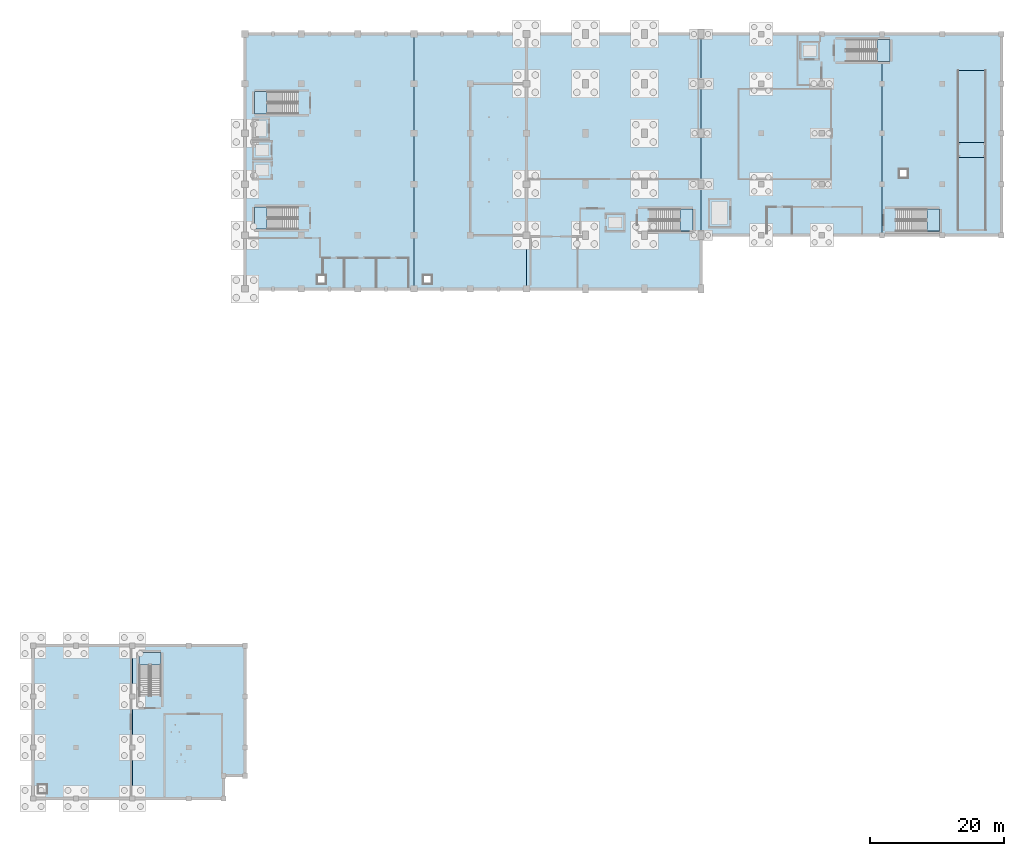
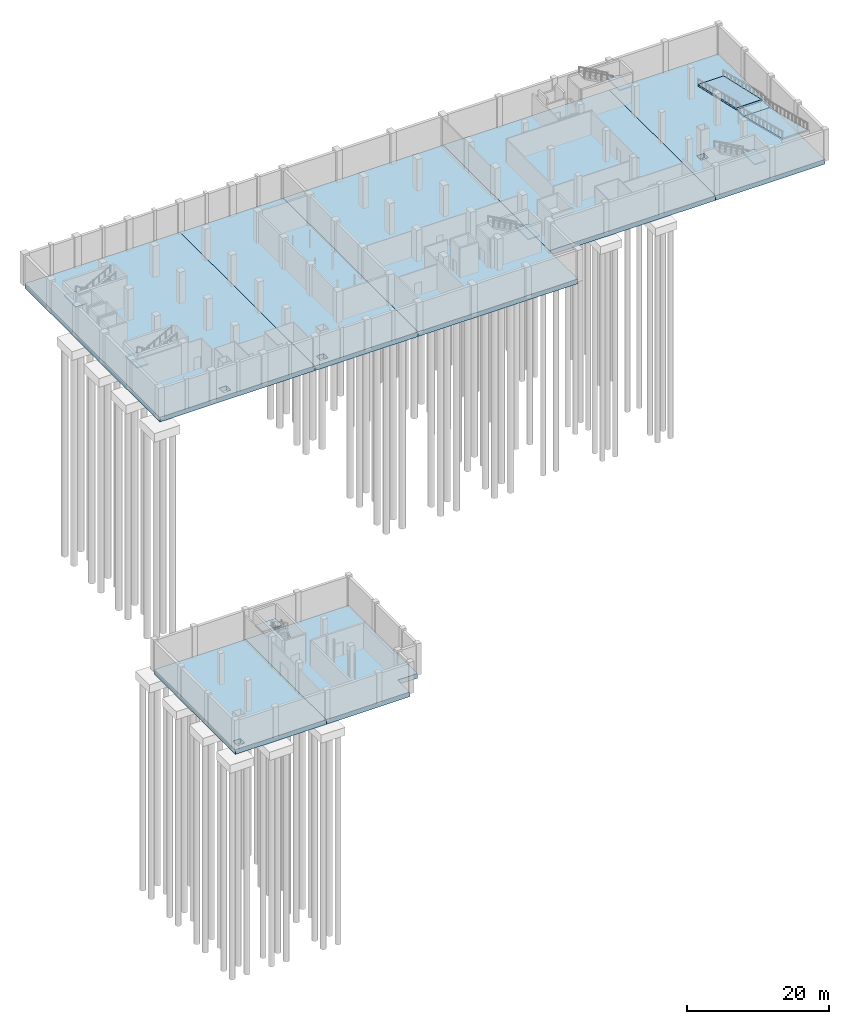
# One storey, part 9 of 20: 16 slabs, 6 elements without a shape of their own.
"""IFC4 building model written with IfcOpenShell, lengths in metres."""

from ifc_helpers import new_model, si_unit, direction, frame, origin, place, context, subcontext, project, spatial, polyline, outline, extrude, material, layer, layer_set, type_object, element, aggregate, save


model = new_model("IFC4")

# Units and contexts
model_context = context("Model", 3, precision=1e-05, world=origin(), true_north=direction((0.0, 1.0)))
body_context = subcontext(model_context, "Body", "Model", "MODEL_VIEW")
ifc_project = project(units=[si_unit("LENGTHUNIT", "METRE"), si_unit("AREAUNIT", "SQUARE_METRE"), si_unit("VOLUMEUNIT", "CUBIC_METRE"), si_unit("PLANEANGLEUNIT", "RADIAN"), si_unit("MASSUNIT", "GRAM", prefix="KILO")], contexts=[model_context])

# Site, building, storey
site_placement = place(None, origin())
site = spatial("IfcSite", under=ifc_project, at=site_placement, CompositionType="ELEMENT")
building_placement = place(site_placement, origin())
building = spatial("IfcBuilding", under=site, at=building_placement, Name="Shengluoqiao Park Theatre", CompositionType="ELEMENT")
storey_placement = place(building_placement, frame((0.0, 0.0, -5.39990234375)))
storey = spatial("IfcBuildingStorey", under=building, at=storey_placement, Name="B1", CompositionType="ELEMENT", Elevation=-5.39990234375)

# Slab
ifc_material = material(Name="Concrete C40", Category="concrete")
ifc_layer_1 = layer(ifc_material, 0.219970703125, Name="Concrete C40")
ifc_layer_set_1 = layer_set([ifc_layer_1], Name="Concrete C40")
slab_type_1 = type_object("IfcSlabType", Name="ENV-SLB-RMLND", PredefinedType="LANDING", material=ifc_layer_set_1)
slab_1_placement = place(storey_placement, frame((0.0, 0.0, 2.419921875)))
element("IfcSlab", 1, at=slab_1_placement, inside=storey, type_object=slab_type_1, Name="Car park vehicle ramp R1 mid-landing", PredefinedType="LANDING", context=body_context, shape_type="SweptSolid", body=[
    extrude(outline(polyline([(150.699951171875, 95.60009765625), (154.89990234375, 95.60009765625), (154.89990234375, 97.800048828125), (150.699951171875, 97.800048828125), (150.699951171875, 95.60009765625)])), origin(), (0.0, 0.0, 1.0), 0.280029296875),
])

# Stair, slab
stair_type = type_object("IfcStairType", Name="INT-STR-CORE", PredefinedType="HALF_TURN_STAIR", material=ifc_material)
stair_1_placement = place(storey_placement, origin())
stair_1 = element("IfcStair", 2, at=stair_1_placement, inside=storey, type_object=stair_type, Name="B1 Auditorium South-West Escape Stair 02", PredefinedType="HALF_TURN_STAIR")
ifc_layer_2 = layer(ifc_material, 0.169921875, Name="Concrete C40")
ifc_layer_set_2 = layer_set([ifc_layer_2], Name="Concrete C40")
slab_type_2 = type_object("IfcSlabType", Name="INT-LND-SL-170", PredefinedType="LANDING", material=ifc_layer_set_2)
slab_2_placement = place(storey_placement, frame((0.0, 0.0, 2.5)))
slab_2 = element("IfcSlab", 3, at=slab_2_placement, type_object=slab_type_2, Name="ST-02 landing 1", PredefinedType="LANDING", context=body_context, shape_type="SweptSolid", body=[
    extrude(outline(polyline([(47.7099609375, 88.199951171875), (45.800048828125, 88.199951171875), (45.800048828125, 84.89990234375), (47.7099609375, 84.89990234375), (47.7099609375, 88.199951171875)])), origin(), (0.0, 0.0, 1.0), 0.199951171875),
])
aggregate(stair_1, [slab_2])

stair_2_placement = place(storey_placement, origin())
stair_2 = element("IfcStair", 4, at=stair_2_placement, inside=storey, type_object=stair_type, Name="B1 Studio and Black-Box Escape Stair 04", PredefinedType="HALF_TURN_STAIR")
slab_3_placement = place(storey_placement, frame((0.0, 0.0, 2.5)))
slab_3 = element("IfcSlab", 5, at=slab_3_placement, type_object=slab_type_2, Name="ST-04 landing 1", PredefinedType="LANDING", context=body_context, shape_type="SweptSolid", body=[
    extrude(outline(polyline([(31.89990234375, 19.889892578125), (31.89990234375, 21.800048828125), (28.60009765625, 21.800048828125), (28.60009765625, 19.889892578125), (31.89990234375, 19.889892578125)])), origin(), (0.0, 0.0, 1.0), 0.199951171875),
])
aggregate(stair_2, [slab_3])

stair_3_placement = place(storey_placement, origin())
stair_3 = element("IfcStair", 6, at=stair_3_placement, inside=storey, type_object=stair_type, Name="B1 Backstage and Workshop Escape Stair 06", PredefinedType="HALF_TURN_STAIR")
slab_4_placement = place(storey_placement, frame((0.0, 0.0, 2.5)))
slab_4 = element("IfcSlab", 7, at=slab_4_placement, type_object=slab_type_2, Name="ST-06 landing 1", PredefinedType="LANDING", context=body_context, shape_type="SweptSolid", body=[
    extrude(outline(polyline([(138.68994140625, 109.89990234375), (140.60009765625, 109.89990234375), (140.60009765625, 113.199951171875), (138.68994140625, 113.199951171875), (138.68994140625, 109.89990234375)])), origin(), (0.0, 0.0, 1.0), 0.199951171875),
])
aggregate(stair_3, [slab_4])

stair_4_placement = place(storey_placement, origin())
stair_4 = element("IfcStair", 8, at=stair_4_placement, inside=storey, type_object=stair_type, Name="B1 Auditorium North-West Escape Stair 03", PredefinedType="HALF_TURN_STAIR")
ifc_layer_3 = layer(ifc_material, 0.199951171875, Name="Concrete C40")
ifc_layer_set_3 = layer_set([ifc_layer_3], Name="Concrete C40")
slab_type_3 = type_object("IfcSlabType", Name="INT-LND-SL-200", PredefinedType="LANDING", material=ifc_layer_set_3)
slab_5_placement = place(storey_placement, frame((0.0, 0.0, 2.5)))
slab_5 = element("IfcSlab", 9, at=slab_5_placement, type_object=slab_type_3, Name="ST-03 landing 1", PredefinedType="LANDING", context=body_context, shape_type="SweptSolid", body=[
    extrude(outline(polyline([(47.7099609375, 105.39990234375), (45.800048828125, 105.39990234375), (45.800048828125, 102.10009765625), (47.7099609375, 102.10009765625), (47.7099609375, 105.39990234375)])), origin(), (0.0, 0.0, 1.0), 0.199951171875),
])
aggregate(stair_4, [slab_5])

stair_5_placement = place(storey_placement, origin())
stair_5 = element("IfcStair", 10, at=stair_5_placement, inside=storey, type_object=stair_type, Name="B1 Stage and Fly Tower Escape Stair 05", PredefinedType="HALF_TURN_STAIR")
slab_6_placement = place(storey_placement, frame((0.0, 0.0, 2.5)))
slab_6 = element("IfcSlab", 11, at=slab_6_placement, type_object=slab_type_3, Name="ST-05 landing 1", PredefinedType="LANDING", context=body_context, shape_type="SweptSolid", body=[
    extrude(outline(polyline([(109.2900390625, 84.60009765625), (111.199951171875, 84.60009765625), (111.199951171875, 87.89990234375), (109.2900390625, 87.89990234375), (109.2900390625, 84.60009765625)])), origin(), (0.0, 0.0, 1.0), 0.199951171875),
])
aggregate(stair_5, [slab_6])

stair_6_placement = place(storey_placement, origin())
stair_6 = element("IfcStair", 12, at=stair_6_placement, inside=storey, type_object=stair_type, Name="B1 Upper Backstage Escape Stair 10", PredefinedType="HALF_TURN_STAIR")
slab_7_placement = place(storey_placement, frame((0.0, 0.0, 2.5)))
slab_7 = element("IfcSlab", 13, at=slab_7_placement, type_object=slab_type_3, Name="ST-10 landing 1", PredefinedType="LANDING", context=body_context, shape_type="SweptSolid", body=[
    extrude(outline(polyline([(146.090087890625, 84.60009765625), (148.0, 84.60009765625), (148.0, 87.89990234375), (146.090087890625, 87.89990234375), (146.090087890625, 84.60009765625)])), origin(), (0.0, 0.0, 1.0), 0.199951171875),
])
aggregate(stair_6, [slab_7])

# Slabs
ifc_layer_4 = layer(ifc_material, 0.800048828125, Name="Concrete C40")
ifc_layer_set_4 = layer_set([ifc_layer_4], Name="Concrete C40")
slab_type_4 = type_object("IfcSlabType", Name="STR-SLB-RAFT800", PredefinedType="BASESLAB", material=ifc_layer_set_4)
slab_8_placement = place(storey_placement, frame((0.0, 0.0, -0.800048828125)))
element("IfcSlab", 14, at=slab_8_placement, inside=storey, type_object=slab_type_4, Name="Basement Raft Slab", PredefinedType="BASESLAB", context=body_context, shape_type="SweptSolid", body=[
    extrude(outline(polyline([(12.800048828125, 0.0), (12.800048828125, 22.800048828125), (27.60009765625, 22.800048828125), (27.60009765625, 0.0), (12.800048828125, 0.0)]), holes=[polyline([(13.60009765625, 0.800048828125), (14.820068359375, 0.800048828125), (14.820068359375, 2.02001953125), (13.60009765625, 2.02001953125), (13.60009765625, 0.800048828125)])]), origin(), (0.0, 0.0, 1.0), 0.800048828125),
])
slab_9_placement = place(storey_placement, frame((0.0, 0.0, -0.800048828125)))
element("IfcSlab", 15, at=slab_9_placement, inside=storey, type_object=slab_type_4, Name="Basement Raft Slab", PredefinedType="BASESLAB", context=body_context, shape_type="SweptSolid", body=[
    extrude(outline(polyline([(27.60009765625, 22.800048828125), (44.39990234375, 22.800048828125), (44.39990234375, 3.39990234375), (41.199951171875, 3.39990234375), (41.199951171875, 0.0), (27.60009765625, 0.0), (27.60009765625, 22.800048828125)])), origin(), (0.0, 0.0, 1.0), 0.800048828125),
])
slab_10_placement = place(storey_placement, frame((0.0, 0.0, -0.800048828125)))
element("IfcSlab", 16, at=slab_10_placement, inside=storey, type_object=slab_type_4, Name="Basement Raft Slab", PredefinedType="BASESLAB", context=body_context, shape_type="SweptSolid", body=[
    extrude(outline(polyline([(44.39990234375, 76.0), (44.39990234375, 114.0), (69.60009765625, 114.0), (69.60009765625, 76.0), (44.39990234375, 76.0)]), holes=[polyline([(55.199951171875, 76.800048828125), (56.419921875, 76.800048828125), (56.419921875, 78.02001953125), (55.199951171875, 78.02001953125), (55.199951171875, 76.800048828125)])]), origin(), (0.0, 0.0, 1.0), 0.800048828125),
])
slab_11_placement = place(storey_placement, frame((0.0, 0.0, -0.800048828125)))
element("IfcSlab", 17, at=slab_11_placement, inside=storey, type_object=slab_type_4, Name="Basement Raft Slab", PredefinedType="BASESLAB", context=body_context, shape_type="SweptSolid", body=[
    extrude(outline(polyline([(69.60009765625, 76.0), (69.60009765625, 114.0), (86.39990234375, 114.0), (86.39990234375, 76.0), (69.60009765625, 76.0)]), holes=[polyline([(71.0, 76.800048828125), (72.219970703125, 76.800048828125), (72.219970703125, 78.02001953125), (71.0, 78.02001953125), (71.0, 76.800048828125)])]), origin(), (0.0, 0.0, 1.0), 0.800048828125),
])
slab_12_placement = place(storey_placement, frame((0.0, 0.0, -0.800048828125)))
element("IfcSlab", 18, at=slab_12_placement, inside=storey, type_object=slab_type_4, Name="Basement Raft Slab", PredefinedType="BASESLAB", context=body_context, shape_type="SweptSolid", body=[
    extrude(outline(polyline([(86.39990234375, 76.0), (86.39990234375, 114.0), (112.39990234375, 114.0), (112.39990234375, 76.0), (86.39990234375, 76.0)])), origin(), (0.0, 0.0, 1.0), 0.800048828125),
])
slab_13_placement = place(storey_placement, frame((0.0, 0.0, -0.800048828125)))
element("IfcSlab", 19, at=slab_13_placement, inside=storey, type_object=slab_type_4, Name="Basement Raft Slab", PredefinedType="BASESLAB", context=body_context, shape_type="SweptSolid", body=[
    extrude(outline(polyline([(112.39990234375, 84.0), (112.39990234375, 114.0), (139.39990234375, 114.0), (139.39990234375, 84.0), (112.39990234375, 84.0)])), origin(), (0.0, 0.0, 1.0), 0.800048828125),
])
slab_14_placement = place(storey_placement, frame((0.0, 0.0, -0.800048828125)))
element("IfcSlab", 20, at=slab_14_placement, inside=storey, type_object=slab_type_4, Name="Basement Raft Slab", PredefinedType="BASESLAB", context=body_context, shape_type="SweptSolid", body=[
    extrude(outline(polyline([(139.39990234375, 84.0), (139.39990234375, 114.0), (157.199951171875, 114.0), (157.199951171875, 84.0), (139.39990234375, 84.0)]), holes=[polyline([(142.0, 92.60009765625), (143.219970703125, 92.60009765625), (143.219970703125, 93.820068359375), (142.0, 93.820068359375), (142.0, 92.60009765625)])]), origin(), (0.0, 0.0, 1.0), 0.800048828125),
])
ifc_layer_5 = layer(ifc_material, 0.280029296875, Name="Concrete C40")
ifc_layer_set_5 = layer_set([ifc_layer_5], Name="Concrete C40")
slab_type_5 = type_object("IfcSlabType", Name="STR-SLB-VRMP200", PredefinedType="FLOOR", material=ifc_layer_set_5)
slab_15_placement = place(storey_placement, frame((150.699951171875, 108.60009765625, 0.260009765625), z_axis=(0.0, 0.221537747609, 0.975151796586), x_axis=(1.0, 0.0, 0.0)))
element("IfcSlab", 21, at=slab_15_placement, inside=storey, type_object=slab_type_5, Name="Car park vehicle ramp R1 lower structural slab", PredefinedType="FLOOR", context=body_context, shape_type="SweptSolid", body=[
    extrude(outline(polyline([(0.0, 0.0), (4.199951171875, 0.0), (4.199951171875, -11.013659895802286), (0.0, -11.013659895802286), (0.0, 0.0)])), origin(), (0.0, 0.0, -1.0), 0.280029296875),
])
slab_16_placement = place(storey_placement, frame((150.699951171875, 95.60009765625, 2.699951171875), z_axis=(0.0, 0.242530464893, 0.970143790167), x_axis=(1.0, 0.0, 0.0)))
element("IfcSlab", 22, at=slab_16_placement, inside=storey, type_object=slab_type_5, Name="Car park vehicle ramp R1 upper structural slab", PredefinedType="FLOOR", context=body_context, shape_type="SweptSolid", body=[
    extrude(outline(polyline([(0.0, 0.0), (4.199951171875, 0.0), (4.199951171875, -11.132420717004607), (0.0, -11.132420717004607), (0.0, 0.0)])), origin(), (0.0, 0.0, -1.0), 0.280029296875),
])

save(model, "model.ifc")
